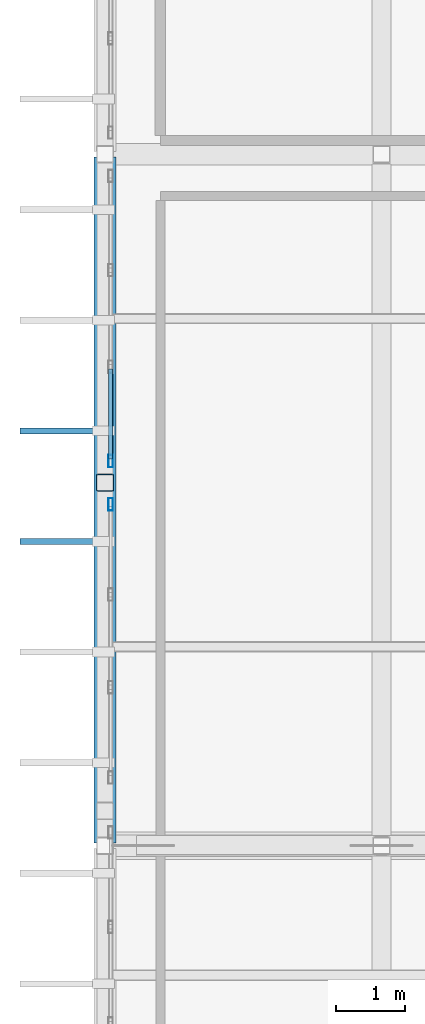
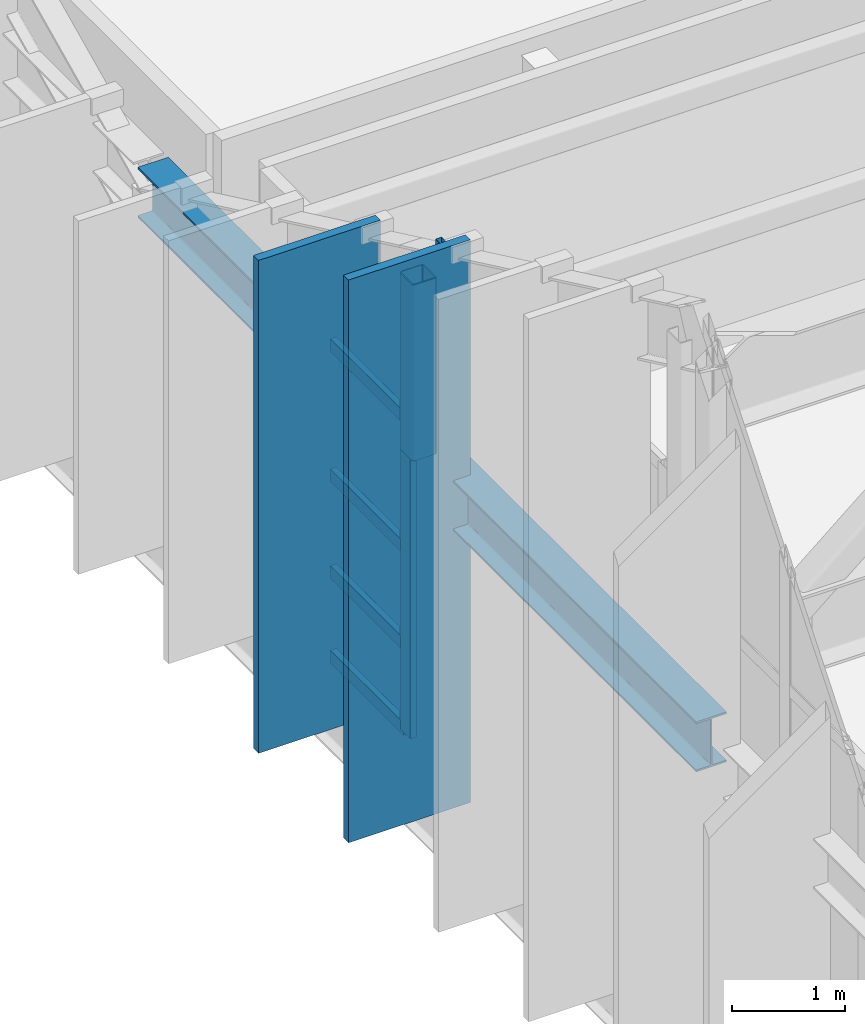
# One storey, part 10 of 68: 9 members, 1 beam, 2 elements without a shape of their own.
"""IFC4 building model written with IfcOpenShell, lengths in metres."""

from ifc_helpers import new_model, si_unit, direction, frame, origin, origin_2d, place, context, subcontext, project, spatial, rectangle, hollow_rectangle, i_section, extrude, material, material_profile, profile_set, type_object, element, aggregate, save


model = new_model("IFC4")

# Units and contexts
model_context = context("Model", 3, precision=1e-05, world=origin(), true_north=direction((0.0, 1.0)))
body_context = subcontext(model_context, "Body", "Model", "MODEL_VIEW")
ifc_project = project(units=[si_unit("LENGTHUNIT", "METRE"), si_unit("AREAUNIT", "SQUARE_METRE"), si_unit("VOLUMEUNIT", "CUBIC_METRE"), si_unit("PLANEANGLEUNIT", "RADIAN"), si_unit("MASSUNIT", "GRAM", prefix="KILO")], contexts=[model_context])

# Site, building, storey
site_placement = place(None, origin())
site = spatial("IfcSite", under=ifc_project, at=site_placement, CompositionType="ELEMENT")
building_placement = place(site_placement, origin())
building = spatial("IfcBuilding", under=site, at=building_placement, Name="Miravela Opera House", CompositionType="ELEMENT")
storey_placement = place(building_placement, frame((0.0, 0.0, 21.760009765625)))
storey = spatial("IfcBuildingStorey", under=building, at=storey_placement, Name="L05", CompositionType="ELEMENT", Elevation=21.760009765625)

# Curtain wall, member
ifc_material_1 = material(Name="Anodised architectural bronze aluminium 6063-T6", Category="aluminium")
curtain_wall_type = type_object("IfcCurtainWallType", Name="ARC-CW-03", PredefinedType="NOTDEFINED", material=ifc_material_1)
curtain_wall_1_placement = place(storey_placement, origin())
curtain_wall_1 = element("IfcCurtainWall", 1, at=curtain_wall_1_placement, inside=storey, type_object=curtain_wall_type, Name="Cantilever West Wrapper Glazing B3 CW-L05-049", PredefinedType="NOTDEFINED")
ifc_material_profile_1 = material_profile(ifc_material_1, hollow_rectangle(XDim=0.06494140625, YDim=0.179931640625, WallThickness=0.00390625, InnerFilletRadius=0.001953125, OuterFilletRadius=0.00390625, at=origin_2d()), Name="CWM-65X180")
ifc_profile_set_1 = profile_set([ifc_material_profile_1])
member_type_1 = type_object("IfcMemberType", Name="ARC-CWM-180", PredefinedType="MULLION", material=ifc_profile_set_1)
member_1_placement = place(storey_placement, frame((15.080078125, 50.9375, 0.0), z_axis=(0.0, 0.0, 1.0), x_axis=(-1.0, 0.0, 0.0)))
member_1 = element("IfcMember", 2, at=member_1_placement, type_object=member_type_1, Name="CW-03 mullion 4", PredefinedType="MULLION", context=body_context, shape_type="SweptSolid", body=[
    extrude(hollow_rectangle(XDim=0.06494140625, YDim=0.179931640625, WallThickness=0.00390625, InnerFilletRadius=0.001953125, OuterFilletRadius=0.00390625, at=origin_2d()), origin(), (0.0, 0.0, 1.0), 5.692626953125),
])
aggregate(curtain_wall_1, [member_1])

# Curtain wall, members
curtain_wall_2_placement = place(storey_placement, origin())
curtain_wall_2 = element("IfcCurtainWall", 3, at=curtain_wall_2_placement, inside=storey, type_object=curtain_wall_type, Name="Cantilever West Wrapper Glazing B4 CW-L05-050", PredefinedType="NOTDEFINED")
member_2_placement = place(storey_placement, frame((15.080078125, 51.5625, 0.0), z_axis=(0.0, 0.0, 1.0), x_axis=(-1.0, 0.0, 0.0)))
member_2 = element("IfcMember", 4, at=member_2_placement, type_object=member_type_1, Name="CW-03 mullion 1", PredefinedType="MULLION", context=body_context, shape_type="SweptSolid", body=[
    extrude(hollow_rectangle(XDim=0.06494140625, YDim=0.179931640625, WallThickness=0.00390625, InnerFilletRadius=0.001953125, OuterFilletRadius=0.00390625, at=origin_2d()), origin(), (0.0, 0.0, 1.0), 3.442626953125),
])
ifc_material_profile_2 = material_profile(ifc_material_1, hollow_rectangle(XDim=0.06494140625, YDim=0.139892578125, WallThickness=0.00390625, InnerFilletRadius=0.001953125, OuterFilletRadius=0.00390625, at=origin_2d()), Name="CWT-65X140")
ifc_profile_set_2 = profile_set([ifc_material_profile_2])
member_type_2 = type_object("IfcMemberType", Name="ARC-CWT-140", PredefinedType="USERDEFINED", material=ifc_profile_set_2)
member_3_placement = place(storey_placement, frame((15.080078125, 51.594970703125, 0.032470703125), z_axis=(0.0, 1.0, 0.0), x_axis=(-1.0, 0.0, 0.0)))
member_3 = element("IfcMember", 5, at=member_3_placement, type_object=member_type_2, Name="CW-03 transom 1.1", ObjectType="TRANSOM", PredefinedType="USERDEFINED", context=body_context, shape_type="SweptSolid", body=[
    extrude(hollow_rectangle(XDim=0.06494140625, YDim=0.139892578125, WallThickness=0.00390625, InnerFilletRadius=0.001953125, OuterFilletRadius=0.00390625, at=origin_2d()), origin(), (0.0, 0.0, 1.0), 1.29931640625),
])
member_4_placement = place(storey_placement, frame((15.080078125, 51.594970703125, 0.949951171875), z_axis=(0.0, 1.0, 0.0), x_axis=(-1.0, 0.0, 0.0)))
member_4 = element("IfcMember", 6, at=member_4_placement, type_object=member_type_2, Name="CW-03 transom 1.2", ObjectType="TRANSOM", PredefinedType="USERDEFINED", context=body_context, shape_type="SweptSolid", body=[
    extrude(hollow_rectangle(XDim=0.06494140625, YDim=0.139892578125, WallThickness=0.00390625, InnerFilletRadius=0.001953125, OuterFilletRadius=0.00390625, at=origin_2d()), origin(), (0.0, 0.0, 1.0), 1.29931640625),
])
member_5_placement = place(storey_placement, frame((15.080078125, 51.594970703125, 1.99658203125), z_axis=(0.0, 1.0, 0.0), x_axis=(-1.0, 0.0, 0.0)))
member_5 = element("IfcMember", 7, at=member_5_placement, type_object=member_type_2, Name="CW-03 transom 1.3", ObjectType="TRANSOM", PredefinedType="USERDEFINED", context=body_context, shape_type="SweptSolid", body=[
    extrude(hollow_rectangle(XDim=0.06494140625, YDim=0.139892578125, WallThickness=0.00390625, InnerFilletRadius=0.001953125, OuterFilletRadius=0.00390625, at=origin_2d()), origin(), (0.0, 0.0, 1.0), 1.29931640625),
])
member_6_placement = place(storey_placement, frame((15.080078125, 51.594970703125, 3.41015625), z_axis=(0.0, 1.0, 0.0), x_axis=(-1.0, 0.0, 0.0)))
member_6 = element("IfcMember", 8, at=member_6_placement, type_object=member_type_2, Name="CW-03 transom 1.4", ObjectType="TRANSOM", PredefinedType="USERDEFINED", context=body_context, shape_type="SweptSolid", body=[
    extrude(hollow_rectangle(XDim=0.06494140625, YDim=0.139892578125, WallThickness=0.00390625, InnerFilletRadius=0.001953125, OuterFilletRadius=0.00390625, at=origin_2d()), origin(), (0.0, 0.0, 1.0), 1.29931640625),
])
aggregate(curtain_wall_2, [member_2, member_3, member_4, member_5, member_6])

# Members
ifc_material_profile_3 = material_profile(ifc_material_1, rectangle(XDim=0.090087890625, YDim=1.25, at=origin_2d()), Name="FIN-1250X90")
ifc_profile_set_3 = profile_set([ifc_material_profile_3])
member_type_3 = type_object("IfcMemberType", Name="ARC-FIN-1250", PredefinedType="USERDEFINED", material=ifc_profile_set_3)
member_7_placement = place(storey_placement, frame((14.39501953125, 50.39990234375, 0.0), z_axis=(0.0, 0.0, 1.0), x_axis=(0.0, 1.0, 0.0)))
element("IfcMember", 9, at=member_7_placement, inside=storey, type_object=member_type_3, Name="Auditorium Wrapper Bronze Solar Fin FIN-L05-WEST-0149", ObjectType="FIN", PredefinedType="USERDEFINED", context=body_context, shape_type="SweptSolid", body=[
    extrude(rectangle(XDim=0.090087890625, YDim=1.25, at=origin_2d()), origin(), (0.0, 0.0, 1.0), 6.1025390625),
])
member_8_placement = place(storey_placement, frame((14.39501953125, 52.0, 0.0), z_axis=(0.0, 0.0, 1.0), x_axis=(0.0, 1.0, 0.0)))
element("IfcMember", 10, at=member_8_placement, inside=storey, type_object=member_type_3, Name="Auditorium Wrapper Bronze Solar Fin FIN-L05-WEST-0150", ObjectType="FIN", PredefinedType="USERDEFINED", context=body_context, shape_type="SweptSolid", body=[
    extrude(rectangle(XDim=0.090087890625, YDim=1.25, at=origin_2d()), origin(), (0.0, 0.0, 1.0), 5.3447265625),
])

# Beam
ifc_material_2 = material(Name="Structural steel ASTM A992 Gr. 50", Category="steel")
ifc_material_profile_4 = material_profile(ifc_material_2, i_section(OverallWidth=0.31201171875, OverallDepth=0.54296875, WebThickness=0.0126953125, FlangeThickness=0.020263671875, FilletRadius=0.01611328125, at=origin_2d()), Name="W530X150")
ifc_profile_set_4 = profile_set([ifc_material_profile_4])
beam_type = type_object("IfcBeamType", Name="STR-BM-W530X150", PredefinedType="BEAM", material=ifc_profile_set_4)
beam_placement = place(storey_placement, frame((15.0, 46.0400390625, 3.280029296875), z_axis=(0.0, 1.0, 0.0), x_axis=(-1.0, 0.0, 0.0)))
element("IfcBeam", 11, at=beam_placement, inside=storey, type_object=beam_type, Name="V-Crest Roof Truss Bottom Tie Chord X=15 Seg 2", PredefinedType="BEAM", context=body_context, shape_type="SweptSolid", body=[
    extrude(i_section(OverallWidth=0.31201171875, OverallDepth=0.54296875, WebThickness=0.0126953125, FlangeThickness=0.020263671875, FilletRadius=0.01611328125, at=origin_2d()), origin(), (0.0, 0.0, 1.0), 9.919921875),
])

# Member
ifc_material_3 = material(Name="Hollow structural steel ASTM A500 Gr. C", Category="steel")
ifc_material_profile_5 = material_profile(ifc_material_3, hollow_rectangle(XDim=0.25, YDim=0.25, WallThickness=0.011962890625, InnerFilletRadius=0.011962890625, OuterFilletRadius=0.02392578125, at=origin_2d()), Name="HSS250X250X12")
ifc_profile_set_5 = profile_set([ifc_material_profile_5])
member_type_4 = type_object("IfcMemberType", Name="STR-MEM-CANT-POST2", PredefinedType="POST", material=ifc_profile_set_5)
member_9_placement = place(storey_placement, frame((15.0, 51.25, 3.280029296875), z_axis=(0.0, 0.0, 1.0), x_axis=(1.0, 0.0, 0.0)))
element("IfcMember", 12, at=member_9_placement, inside=storey, type_object=member_type_4, Name="V-Crest Roof Truss Panel Post X=15 Node 3", PredefinedType="POST", context=body_context, shape_type="SweptSolid", body=[
    extrude(hollow_rectangle(XDim=0.25, YDim=0.25, WallThickness=0.011962890625, InnerFilletRadius=0.011962890625, OuterFilletRadius=0.02392578125, at=origin_2d()), origin(), (0.0, 0.0, 1.0), 1.909912109375),
])

save(model, "model.ifc")
